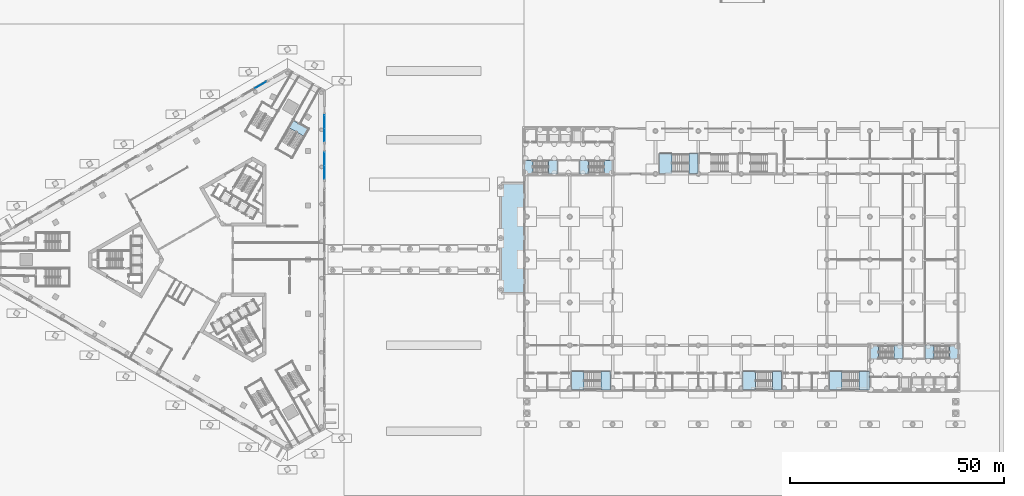
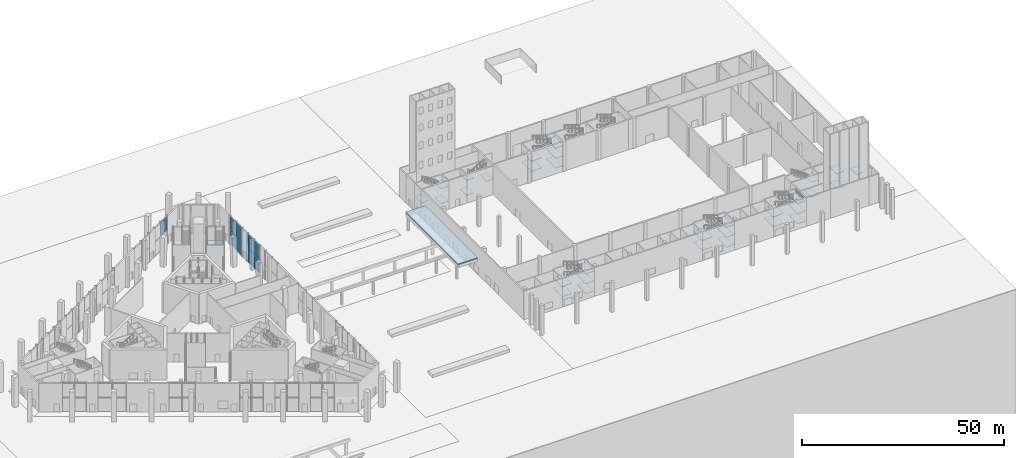
# One storey, part 21 of 63: 34 slabs, 9 plates, 12 elements without a shape of their own.
"""IFC4 building model written with IfcOpenShell, lengths in metres."""

from ifc_helpers import new_model, si_unit, direction, frame, origin, origin_2d, place, context, subcontext, project, spatial, polyline, rectangle, outline, extrude, material, layer, layer_set, type_object, element, aggregate, save


model = new_model("IFC4")

# Units and contexts
model_context = context("Model", 3, precision=1e-05, world=origin(), true_north=direction((0.0, 1.0)))
body_context = subcontext(model_context, "Body", "Model", "MODEL_VIEW")
ifc_project = project(units=[si_unit("LENGTHUNIT", "METRE"), si_unit("AREAUNIT", "SQUARE_METRE"), si_unit("VOLUMEUNIT", "CUBIC_METRE"), si_unit("PLANEANGLEUNIT", "RADIAN"), si_unit("MASSUNIT", "GRAM", prefix="KILO")], contexts=[model_context])

# Site, building, storey
site_placement = place(None, origin())
site = spatial("IfcSite", under=ifc_project, at=site_placement, CompositionType="ELEMENT")
building_placement = place(site_placement, origin())
building = spatial("IfcBuilding", under=site, at=building_placement, Name="Jabali Bay Hotel Tower and Convention Centre", CompositionType="ELEMENT")
storey_placement = place(building_placement, origin())
storey = spatial("IfcBuildingStorey", under=building, at=storey_placement, Name="L00", CompositionType="ELEMENT", Elevation=0.0)

# Slab
ifc_material_1 = material(Name="Concrete C40", Category="concrete")
ifc_layer_1 = layer(ifc_material_1, 0.300048828125)
ifc_layer_set_1 = layer_set([ifc_layer_1], Name="Concrete C40")
slab_type_1 = type_object("IfcSlabType", Name="CC Canopy Slab 300", PredefinedType="ROOF", material=ifc_layer_set_1)
slab_1_placement = place(storey_placement, frame((0.0, 0.0, 4.699951171875)))
element("IfcSlab", 1, at=slab_1_placement, inside=storey, type_object=slab_type_1, Name="CC entrance canopy", PredefinedType="ROOF", context=body_context, shape_type="SweptSolid", body=[
    extrude(outline(polyline([(150.0, 72.0), (150.0, 98.0), (144.39990234375, 98.0), (144.39990234375, 72.0), (150.0, 72.0)])), origin(), (0.0, 0.0, 1.0), 0.300048828125),
])

# Stair, slabs
stair_type_1 = type_object("IfcStairType", Name="CC Dogleg Stair 1350", PredefinedType="HALF_TURN_STAIR", material=ifc_material_1)
stair_1_placement = place(storey_placement, origin())
stair_1 = element("IfcStair", 2, at=stair_1_placement, inside=storey, type_object=stair_type_1, Name="L00 West stair A", PredefinedType="HALF_TURN_STAIR")
ifc_layer_2 = layer(ifc_material_1, 0.199951171875)
ifc_layer_set_2 = layer_set([ifc_layer_2], Name="Concrete C40")
slab_type_2 = type_object("IfcSlabType", Name="CC Stair Landing 200", PredefinedType="LANDING", material=ifc_layer_set_2)
slab_2_placement = place(storey_placement, frame((0.0, 0.0, 2.050048828125)))
slab_2 = element("IfcSlab", 3, at=slab_2_placement, type_object=slab_type_2, Name="CC-STWA landing 1", PredefinedType="LANDING", context=body_context, shape_type="SweptSolid", body=[
    extrude(outline(polyline([(155.737060546875, 100.02490234375), (157.85009765625, 100.02490234375), (157.85009765625, 103.175048828125), (155.737060546875, 103.175048828125), (155.737060546875, 100.02490234375)])), origin(), (0.0, 0.0, 1.0), 0.199951171875),
])
slab_3_placement = place(storey_placement, frame((0.0, 0.0, 4.300048828125)))
slab_3 = element("IfcSlab", 4, at=slab_3_placement, type_object=slab_type_2, Name="CC-STWA landing 2", PredefinedType="LANDING", context=body_context, shape_type="SweptSolid", body=[
    extrude(outline(polyline([(150.14990234375, 100.02490234375), (152.10302734375, 100.02490234375), (152.10302734375, 103.175048828125), (150.14990234375, 103.175048828125), (150.14990234375, 100.02490234375)])), origin(), (0.0, 0.0, 1.0), 0.199951171875),
])
slab_4_placement = place(storey_placement, frame((0.0, 0.0, 6.550048828125)))
slab_4 = element("IfcSlab", 5, at=slab_4_placement, type_object=slab_type_2, Name="CC-STWA landing 3", PredefinedType="LANDING", context=body_context, shape_type="SweptSolid", body=[
    extrude(outline(polyline([(155.737060546875, 100.02490234375), (157.85009765625, 100.02490234375), (157.85009765625, 103.175048828125), (155.737060546875, 103.175048828125), (155.737060546875, 100.02490234375)])), origin(), (0.0, 0.0, 1.0), 0.199951171875),
])
aggregate(stair_1, [slab_2, slab_3, slab_4])

stair_2_placement = place(storey_placement, origin())
stair_2 = element("IfcStair", 6, at=stair_2_placement, inside=storey, type_object=stair_type_1, Name="L00 West stair B", PredefinedType="HALF_TURN_STAIR")
slab_5_placement = place(storey_placement, frame((0.0, 0.0, 2.050048828125)))
slab_5 = element("IfcSlab", 7, at=slab_5_placement, type_object=slab_type_2, Name="CC-STWB landing 1", PredefinedType="LANDING", context=body_context, shape_type="SweptSolid", body=[
    extrude(outline(polyline([(162.97509765625, 100.02490234375), (165.087890625, 100.02490234375), (165.087890625, 103.175048828125), (162.97509765625, 103.175048828125), (162.97509765625, 100.02490234375)])), origin(), (0.0, 0.0, 1.0), 0.199951171875),
])
slab_6_placement = place(storey_placement, frame((0.0, 0.0, 4.300048828125)))
slab_6 = element("IfcSlab", 8, at=slab_6_placement, type_object=slab_type_2, Name="CC-STWB landing 2", PredefinedType="LANDING", context=body_context, shape_type="SweptSolid", body=[
    extrude(outline(polyline([(168.721923828125, 100.02490234375), (170.675048828125, 100.02490234375), (170.675048828125, 103.175048828125), (168.721923828125, 103.175048828125), (168.721923828125, 100.02490234375)])), origin(), (0.0, 0.0, 1.0), 0.199951171875),
])
slab_7_placement = place(storey_placement, frame((0.0, 0.0, 6.550048828125)))
slab_7 = element("IfcSlab", 9, at=slab_7_placement, type_object=slab_type_2, Name="CC-STWB landing 3", PredefinedType="LANDING", context=body_context, shape_type="SweptSolid", body=[
    extrude(outline(polyline([(162.97509765625, 100.02490234375), (165.087890625, 100.02490234375), (165.087890625, 103.175048828125), (162.97509765625, 103.175048828125), (162.97509765625, 100.02490234375)])), origin(), (0.0, 0.0, 1.0), 0.199951171875),
])
aggregate(stair_2, [slab_5, slab_6, slab_7])

stair_3_placement = place(storey_placement, origin())
stair_3 = element("IfcStair", 10, at=stair_3_placement, inside=storey, type_object=stair_type_1, Name="L00 East stair A", PredefinedType="HALF_TURN_STAIR")
slab_8_placement = place(storey_placement, frame((0.0, 0.0, 2.050048828125)))
slab_8 = element("IfcSlab", 11, at=slab_8_placement, type_object=slab_type_2, Name="CC-STEA landing 1", PredefinedType="LANDING", context=body_context, shape_type="SweptSolid", body=[
    extrude(outline(polyline([(243.550048828125, 56.824951171875), (245.6630859375, 56.824951171875), (245.6630859375, 59.97509765625), (243.550048828125, 59.97509765625), (243.550048828125, 56.824951171875)])), origin(), (0.0, 0.0, 1.0), 0.199951171875),
])
slab_9_placement = place(storey_placement, frame((0.0, 0.0, 4.300048828125)))
slab_9 = element("IfcSlab", 12, at=slab_9_placement, type_object=slab_type_2, Name="CC-STEA landing 2", PredefinedType="LANDING", context=body_context, shape_type="SweptSolid", body=[
    extrude(outline(polyline([(249.297119140625, 56.824951171875), (251.25, 56.824951171875), (251.25, 59.97509765625), (249.297119140625, 59.97509765625), (249.297119140625, 56.824951171875)])), origin(), (0.0, 0.0, 1.0), 0.199951171875),
])
slab_10_placement = place(storey_placement, frame((0.0, 0.0, 6.550048828125)))
slab_10 = element("IfcSlab", 13, at=slab_10_placement, type_object=slab_type_2, Name="CC-STEA landing 3", PredefinedType="LANDING", context=body_context, shape_type="SweptSolid", body=[
    extrude(outline(polyline([(243.550048828125, 56.824951171875), (245.6630859375, 56.824951171875), (245.6630859375, 59.97509765625), (243.550048828125, 59.97509765625), (243.550048828125, 56.824951171875)])), origin(), (0.0, 0.0, 1.0), 0.199951171875),
])
aggregate(stair_3, [slab_8, slab_9, slab_10])

stair_4_placement = place(storey_placement, origin())
stair_4 = element("IfcStair", 14, at=stair_4_placement, inside=storey, type_object=stair_type_1, Name="L00 East stair B", PredefinedType="HALF_TURN_STAIR")
slab_11_placement = place(storey_placement, frame((0.0, 0.0, 2.050048828125)))
slab_11 = element("IfcSlab", 15, at=slab_11_placement, type_object=slab_type_2, Name="CC-STEB landing 1", PredefinedType="LANDING", context=body_context, shape_type="SweptSolid", body=[
    extrude(outline(polyline([(236.31201171875, 56.824951171875), (238.425048828125, 56.824951171875), (238.425048828125, 59.97509765625), (236.31201171875, 59.97509765625), (236.31201171875, 56.824951171875)])), origin(), (0.0, 0.0, 1.0), 0.199951171875),
])
slab_12_placement = place(storey_placement, frame((0.0, 0.0, 4.300048828125)))
slab_12 = element("IfcSlab", 16, at=slab_12_placement, type_object=slab_type_2, Name="CC-STEB landing 2", PredefinedType="LANDING", context=body_context, shape_type="SweptSolid", body=[
    extrude(outline(polyline([(230.72509765625, 56.824951171875), (232.677978515625, 56.824951171875), (232.677978515625, 59.97509765625), (230.72509765625, 59.97509765625), (230.72509765625, 56.824951171875)])), origin(), (0.0, 0.0, 1.0), 0.199951171875),
])
slab_13_placement = place(storey_placement, frame((0.0, 0.0, 6.550048828125)))
slab_13 = element("IfcSlab", 17, at=slab_13_placement, type_object=slab_type_2, Name="CC-STEB landing 3", PredefinedType="LANDING", context=body_context, shape_type="SweptSolid", body=[
    extrude(outline(polyline([(236.31201171875, 56.824951171875), (238.425048828125, 56.824951171875), (238.425048828125, 59.97509765625), (236.31201171875, 59.97509765625), (236.31201171875, 56.824951171875)])), origin(), (0.0, 0.0, 1.0), 0.199951171875),
])
aggregate(stair_4, [slab_11, slab_12, slab_13])

stair_5_placement = place(storey_placement, origin())
stair_5 = element("IfcStair", 18, at=stair_5_placement, inside=storey, type_object=stair_type_1, Name="L00 South Exit Stair 1", PredefinedType="HALF_TURN_STAIR")
slab_14_placement = place(storey_placement, frame((0.0, 0.0, 1.300048828125)))
slab_14 = element("IfcSlab", 19, at=slab_14_placement, type_object=slab_type_2, Name="CC-STS1 landing 1", PredefinedType="LANDING", context=body_context, shape_type="SweptSolid", body=[
    extrude(outline(polyline([(167.95703125, 49.550048828125), (170.14990234375, 49.550048828125), (170.14990234375, 53.949951171875), (167.95703125, 53.949951171875), (167.95703125, 49.550048828125)])), origin(), (0.0, 0.0, 1.0), 0.199951171875),
])
slab_15_placement = place(storey_placement, frame((0.0, 0.0, 2.800048828125)))
slab_15 = element("IfcSlab", 20, at=slab_15_placement, type_object=slab_type_2, Name="CC-STS1 landing 2", PredefinedType="LANDING", context=body_context, shape_type="SweptSolid", body=[
    extrude(outline(polyline([(161.050048828125, 49.550048828125), (164.0029296875, 49.550048828125), (164.0029296875, 53.949951171875), (161.050048828125, 53.949951171875), (161.050048828125, 49.550048828125)])), origin(), (0.0, 0.0, 1.0), 0.199951171875),
])
slab_16_placement = place(storey_placement, frame((0.0, 0.0, 4.300048828125)))
slab_16 = element("IfcSlab", 21, at=slab_16_placement, type_object=slab_type_2, Name="CC-STS1 landing 3", PredefinedType="LANDING", context=body_context, shape_type="SweptSolid", body=[
    extrude(outline(polyline([(167.95703125, 49.550048828125), (170.14990234375, 49.550048828125), (170.14990234375, 53.949951171875), (167.95703125, 53.949951171875), (167.95703125, 49.550048828125)])), origin(), (0.0, 0.0, 1.0), 0.199951171875),
])
slab_17_placement = place(storey_placement, frame((0.0, 0.0, 5.800048828125)))
slab_17 = element("IfcSlab", 22, at=slab_17_placement, type_object=slab_type_2, Name="CC-STS1 landing 4", PredefinedType="LANDING", context=body_context, shape_type="SweptSolid", body=[
    extrude(outline(polyline([(161.050048828125, 49.550048828125), (164.0029296875, 49.550048828125), (164.0029296875, 53.949951171875), (161.050048828125, 53.949951171875), (161.050048828125, 49.550048828125)])), origin(), (0.0, 0.0, 1.0), 0.199951171875),
])
slab_18_placement = place(storey_placement, frame((0.0, 0.0, 7.300048828125)))
slab_18 = element("IfcSlab", 23, at=slab_18_placement, type_object=slab_type_2, Name="CC-STS1 landing 5", PredefinedType="LANDING", context=body_context, shape_type="SweptSolid", body=[
    extrude(outline(polyline([(167.95703125, 49.550048828125), (170.14990234375, 49.550048828125), (170.14990234375, 53.949951171875), (167.95703125, 53.949951171875), (167.95703125, 49.550048828125)])), origin(), (0.0, 0.0, 1.0), 0.199951171875),
])
aggregate(stair_5, [slab_14, slab_15, slab_16, slab_17, slab_18])

stair_6_placement = place(storey_placement, origin())
stair_6 = element("IfcStair", 24, at=stair_6_placement, inside=storey, type_object=stair_type_1, Name="L00 South Exit Stair 2", PredefinedType="HALF_TURN_STAIR")
slab_19_placement = place(storey_placement, frame((0.0, 0.0, 1.300048828125)))
slab_19 = element("IfcSlab", 25, at=slab_19_placement, type_object=slab_type_2, Name="CC-STS2 landing 1", PredefinedType="LANDING", context=body_context, shape_type="SweptSolid", body=[
    extrude(outline(polyline([(207.95703125, 49.550048828125), (210.14990234375, 49.550048828125), (210.14990234375, 53.949951171875), (207.95703125, 53.949951171875), (207.95703125, 49.550048828125)])), origin(), (0.0, 0.0, 1.0), 0.199951171875),
])
slab_20_placement = place(storey_placement, frame((0.0, 0.0, 2.800048828125)))
slab_20 = element("IfcSlab", 26, at=slab_20_placement, type_object=slab_type_2, Name="CC-STS2 landing 2", PredefinedType="LANDING", context=body_context, shape_type="SweptSolid", body=[
    extrude(outline(polyline([(201.050048828125, 49.550048828125), (204.0029296875, 49.550048828125), (204.0029296875, 53.949951171875), (201.050048828125, 53.949951171875), (201.050048828125, 49.550048828125)])), origin(), (0.0, 0.0, 1.0), 0.199951171875),
])
slab_21_placement = place(storey_placement, frame((0.0, 0.0, 4.300048828125)))
slab_21 = element("IfcSlab", 27, at=slab_21_placement, type_object=slab_type_2, Name="CC-STS2 landing 3", PredefinedType="LANDING", context=body_context, shape_type="SweptSolid", body=[
    extrude(outline(polyline([(207.95703125, 49.550048828125), (210.14990234375, 49.550048828125), (210.14990234375, 53.949951171875), (207.95703125, 53.949951171875), (207.95703125, 49.550048828125)])), origin(), (0.0, 0.0, 1.0), 0.199951171875),
])
slab_22_placement = place(storey_placement, frame((0.0, 0.0, 5.800048828125)))
slab_22 = element("IfcSlab", 28, at=slab_22_placement, type_object=slab_type_2, Name="CC-STS2 landing 4", PredefinedType="LANDING", context=body_context, shape_type="SweptSolid", body=[
    extrude(outline(polyline([(201.050048828125, 49.550048828125), (204.0029296875, 49.550048828125), (204.0029296875, 53.949951171875), (201.050048828125, 53.949951171875), (201.050048828125, 49.550048828125)])), origin(), (0.0, 0.0, 1.0), 0.199951171875),
])
slab_23_placement = place(storey_placement, frame((0.0, 0.0, 7.300048828125)))
slab_23 = element("IfcSlab", 29, at=slab_23_placement, type_object=slab_type_2, Name="CC-STS2 landing 5", PredefinedType="LANDING", context=body_context, shape_type="SweptSolid", body=[
    extrude(outline(polyline([(207.95703125, 49.550048828125), (210.14990234375, 49.550048828125), (210.14990234375, 53.949951171875), (207.95703125, 53.949951171875), (207.95703125, 49.550048828125)])), origin(), (0.0, 0.0, 1.0), 0.199951171875),
])
aggregate(stair_6, [slab_19, slab_20, slab_21, slab_22, slab_23])

stair_7_placement = place(storey_placement, origin())
stair_7 = element("IfcStair", 30, at=stair_7_placement, inside=storey, type_object=stair_type_1, Name="L00 South Exit Stair 3", PredefinedType="HALF_TURN_STAIR")
slab_24_placement = place(storey_placement, frame((0.0, 0.0, 1.300048828125)))
slab_24 = element("IfcSlab", 31, at=slab_24_placement, type_object=slab_type_2, Name="CC-STS3 landing 1", PredefinedType="LANDING", context=body_context, shape_type="SweptSolid", body=[
    extrude(outline(polyline([(228.20703125, 49.550048828125), (230.60009765625, 49.550048828125), (230.60009765625, 53.949951171875), (228.20703125, 53.949951171875), (228.20703125, 49.550048828125)])), origin(), (0.0, 0.0, 1.0), 0.199951171875),
])
slab_25_placement = place(storey_placement, frame((0.0, 0.0, 2.800048828125)))
slab_25 = element("IfcSlab", 32, at=slab_25_placement, type_object=slab_type_2, Name="CC-STS3 landing 2", PredefinedType="LANDING", context=body_context, shape_type="SweptSolid", body=[
    extrude(outline(polyline([(221.300048828125, 49.550048828125), (224.2529296875, 49.550048828125), (224.2529296875, 53.949951171875), (221.300048828125, 53.949951171875), (221.300048828125, 49.550048828125)])), origin(), (0.0, 0.0, 1.0), 0.199951171875),
])
slab_26_placement = place(storey_placement, frame((0.0, 0.0, 4.300048828125)))
slab_26 = element("IfcSlab", 33, at=slab_26_placement, type_object=slab_type_2, Name="CC-STS3 landing 3", PredefinedType="LANDING", context=body_context, shape_type="SweptSolid", body=[
    extrude(outline(polyline([(228.20703125, 49.550048828125), (230.60009765625, 49.550048828125), (230.60009765625, 53.949951171875), (228.20703125, 53.949951171875), (228.20703125, 49.550048828125)])), origin(), (0.0, 0.0, 1.0), 0.199951171875),
])
slab_27_placement = place(storey_placement, frame((0.0, 0.0, 5.800048828125)))
slab_27 = element("IfcSlab", 34, at=slab_27_placement, type_object=slab_type_2, Name="CC-STS3 landing 4", PredefinedType="LANDING", context=body_context, shape_type="SweptSolid", body=[
    extrude(outline(polyline([(221.300048828125, 49.550048828125), (224.2529296875, 49.550048828125), (224.2529296875, 53.949951171875), (221.300048828125, 53.949951171875), (221.300048828125, 49.550048828125)])), origin(), (0.0, 0.0, 1.0), 0.199951171875),
])
slab_28_placement = place(storey_placement, frame((0.0, 0.0, 7.300048828125)))
slab_28 = element("IfcSlab", 35, at=slab_28_placement, type_object=slab_type_2, Name="CC-STS3 landing 5", PredefinedType="LANDING", context=body_context, shape_type="SweptSolid", body=[
    extrude(outline(polyline([(228.20703125, 49.550048828125), (230.60009765625, 49.550048828125), (230.60009765625, 53.949951171875), (228.20703125, 53.949951171875), (228.20703125, 49.550048828125)])), origin(), (0.0, 0.0, 1.0), 0.199951171875),
])
aggregate(stair_7, [slab_24, slab_25, slab_26, slab_27, slab_28])

stair_8_placement = place(storey_placement, origin())
stair_8 = element("IfcStair", 36, at=stair_8_placement, inside=storey, type_object=stair_type_1, Name="L00 North Exit Stair 1", PredefinedType="HALF_TURN_STAIR")
slab_29_placement = place(storey_placement, frame((0.0, 0.0, 1.300048828125)))
slab_29 = element("IfcSlab", 37, at=slab_29_placement, type_object=slab_type_2, Name="CC-STN1 landing 1", PredefinedType="LANDING", context=body_context, shape_type="SweptSolid", body=[
    extrude(outline(polyline([(188.48193359375, 100.10009765625), (190.675048828125, 100.10009765625), (190.675048828125, 104.699951171875), (188.48193359375, 104.699951171875), (188.48193359375, 100.10009765625)])), origin(), (0.0, 0.0, 1.0), 0.199951171875),
])
slab_30_placement = place(storey_placement, frame((0.0, 0.0, 2.800048828125)))
slab_30 = element("IfcSlab", 38, at=slab_30_placement, type_object=slab_type_2, Name="CC-STN1 landing 2", PredefinedType="LANDING", context=body_context, shape_type="SweptSolid", body=[
    extrude(outline(polyline([(181.574951171875, 100.10009765625), (184.528076171875, 100.10009765625), (184.528076171875, 104.699951171875), (181.574951171875, 104.699951171875), (181.574951171875, 100.10009765625)])), origin(), (0.0, 0.0, 1.0), 0.199951171875),
])
slab_31_placement = place(storey_placement, frame((0.0, 0.0, 4.300048828125)))
slab_31 = element("IfcSlab", 39, at=slab_31_placement, type_object=slab_type_2, Name="CC-STN1 landing 3", PredefinedType="LANDING", context=body_context, shape_type="SweptSolid", body=[
    extrude(outline(polyline([(188.48193359375, 100.10009765625), (190.675048828125, 100.10009765625), (190.675048828125, 104.699951171875), (188.48193359375, 104.699951171875), (188.48193359375, 100.10009765625)])), origin(), (0.0, 0.0, 1.0), 0.199951171875),
])
slab_32_placement = place(storey_placement, frame((0.0, 0.0, 5.800048828125)))
slab_32 = element("IfcSlab", 40, at=slab_32_placement, type_object=slab_type_2, Name="CC-STN1 landing 4", PredefinedType="LANDING", context=body_context, shape_type="SweptSolid", body=[
    extrude(outline(polyline([(181.574951171875, 100.10009765625), (184.528076171875, 100.10009765625), (184.528076171875, 104.699951171875), (181.574951171875, 104.699951171875), (181.574951171875, 100.10009765625)])), origin(), (0.0, 0.0, 1.0), 0.199951171875),
])
slab_33_placement = place(storey_placement, frame((0.0, 0.0, 7.300048828125)))
slab_33 = element("IfcSlab", 41, at=slab_33_placement, type_object=slab_type_2, Name="CC-STN1 landing 5", PredefinedType="LANDING", context=body_context, shape_type="SweptSolid", body=[
    extrude(outline(polyline([(188.48193359375, 100.10009765625), (190.675048828125, 100.10009765625), (190.675048828125, 104.699951171875), (188.48193359375, 104.699951171875), (188.48193359375, 100.10009765625)])), origin(), (0.0, 0.0, 1.0), 0.199951171875),
])
aggregate(stair_8, [slab_29, slab_30, slab_31, slab_32, slab_33])

# Curtain wall, plates
ifc_material_2 = material(Name="Aluminium and glass", Category="aluminium")
ifc_layer_3 = layer(ifc_material_2, 0.179931640625)
ifc_layer_set_3 = layer_set([ifc_layer_3], Name="Aluminium and glass")
curtain_wall_type_1 = type_object("IfcCurtainWallType", Name="CW1 curtain wall", PredefinedType="NOTDEFINED", material=ifc_layer_set_3)
curtain_wall_1_placement = place(storey_placement, origin())
curtain_wall_1 = element("IfcCurtainWall", 42, at=curtain_wall_1_placement, inside=storey, type_object=curtain_wall_type_1, Name="CW1 curtain wall east face L00", PredefinedType="NOTDEFINED")
ifc_material_3 = material(Name="Glass", Category="glass")
ifc_layer_4 = layer(ifc_material_3, 0.028076171875)
ifc_layer_set_4 = layer_set([ifc_layer_4], Name="Glass")
plate_type_1 = type_object("IfcPlateType", Name="CW1 glass panel 28", PredefinedType="CURTAIN_PANEL", material=ifc_layer_set_4)
plate_1_placement = place(storey_placement, frame((103.5, 103.390380859375, 0.06005859375), z_axis=(0.0, 0.0, 1.0), x_axis=(0.0, -1.0, 0.0)))
plate_1 = element("IfcPlate", 43, at=plate_1_placement, type_object=plate_type_1, Name="CW1 panel 1.1", PredefinedType="CURTAIN_PANEL", context=body_context, shape_type="SweptSolid", body=[
    extrude(rectangle(XDim=2.983642578125, YDim=0.028076171875, at=origin_2d()), origin(), (0.0, 0.0, 1.0), 4.2099609375),
])
plate_2_placement = place(storey_placement, frame((103.5, 103.390380859375, 4.330078125), z_axis=(0.0, 0.0, 1.0), x_axis=(0.0, -1.0, 0.0)))
plate_2 = element("IfcPlate", 44, at=plate_2_placement, type_object=plate_type_1, Name="CW1 panel 1.2", PredefinedType="CURTAIN_PANEL", context=body_context, shape_type="SweptSolid", body=[
    extrude(rectangle(XDim=2.983642578125, YDim=0.028076171875, at=origin_2d()), origin(), (0.0, 0.0, 1.0), 4.2099609375),
])
plate_3_placement = place(storey_placement, frame((103.5, 100.3466796875, 0.06005859375), z_axis=(0.0, 0.0, 1.0), x_axis=(0.0, -1.0, 0.0)))
plate_3 = element("IfcPlate", 45, at=plate_3_placement, type_object=plate_type_1, Name="CW1 panel 2.1", PredefinedType="CURTAIN_PANEL", context=body_context, shape_type="SweptSolid", body=[
    extrude(rectangle(XDim=2.983642578125, YDim=0.028076171875, at=origin_2d()), origin(), (0.0, 0.0, 1.0), 4.2099609375),
])
plate_4_placement = place(storey_placement, frame((103.5, 100.3466796875, 4.330078125), z_axis=(0.0, 0.0, 1.0), x_axis=(0.0, -1.0, 0.0)))
plate_4 = element("IfcPlate", 46, at=plate_4_placement, type_object=plate_type_1, Name="CW1 panel 2.2", PredefinedType="CURTAIN_PANEL", context=body_context, shape_type="SweptSolid", body=[
    extrude(rectangle(XDim=2.983642578125, YDim=0.028076171875, at=origin_2d()), origin(), (0.0, 0.0, 1.0), 4.2099609375),
])
aggregate(curtain_wall_1, [plate_1, plate_2, plate_3, plate_4])

curtain_wall_2_placement = place(storey_placement, origin())
curtain_wall_2 = element("IfcCurtainWall", 47, at=curtain_wall_2_placement, inside=storey, type_object=curtain_wall_type_1, Name="CW1 curtain wall east face L00", PredefinedType="NOTDEFINED")
plate_5_placement = place(storey_placement, frame((103.5, 112.137939453125, 0.06005859375), z_axis=(0.0, 0.0, 1.0), x_axis=(0.0, -1.0, 0.0)))
plate_5 = element("IfcPlate", 48, at=plate_5_placement, type_object=plate_type_1, Name="CW1 panel 1.1", PredefinedType="CURTAIN_PANEL", context=body_context, shape_type="SweptSolid", body=[
    extrude(rectangle(XDim=2.983642578125, YDim=0.028076171875, at=origin_2d()), origin(), (0.0, 0.0, 1.0), 4.2099609375),
])
plate_6_placement = place(storey_placement, frame((103.5, 112.137939453125, 4.330078125), z_axis=(0.0, 0.0, 1.0), x_axis=(0.0, -1.0, 0.0)))
plate_6 = element("IfcPlate", 49, at=plate_6_placement, type_object=plate_type_1, Name="CW1 panel 1.2", PredefinedType="CURTAIN_PANEL", context=body_context, shape_type="SweptSolid", body=[
    extrude(rectangle(XDim=2.983642578125, YDim=0.028076171875, at=origin_2d()), origin(), (0.0, 0.0, 1.0), 4.2099609375),
])
plate_7_placement = place(storey_placement, frame((103.5, 109.09423828125, 0.06005859375), z_axis=(0.0, 0.0, 1.0), x_axis=(0.0, -1.0, 0.0)))
plate_7 = element("IfcPlate", 50, at=plate_7_placement, type_object=plate_type_1, Name="CW1 panel 2.1", PredefinedType="CURTAIN_PANEL", context=body_context, shape_type="SweptSolid", body=[
    extrude(rectangle(XDim=2.983642578125, YDim=0.028076171875, at=origin_2d()), origin(), (0.0, 0.0, 1.0), 4.2099609375),
])
plate_8_placement = place(storey_placement, frame((103.5, 109.09423828125, 4.330078125), z_axis=(0.0, 0.0, 1.0), x_axis=(0.0, -1.0, 0.0)))
plate_8 = element("IfcPlate", 51, at=plate_8_placement, type_object=plate_type_1, Name="CW1 panel 2.2", PredefinedType="CURTAIN_PANEL", context=body_context, shape_type="SweptSolid", body=[
    extrude(rectangle(XDim=2.983642578125, YDim=0.028076171875, at=origin_2d()), origin(), (0.0, 0.0, 1.0), 4.2099609375),
])
aggregate(curtain_wall_2, [plate_5, plate_6, plate_7, plate_8])

# Curtain wall, plate
ifc_layer_5 = layer(ifc_material_2, 0.239990234375)
ifc_layer_set_5 = layer_set([ifc_layer_5], Name="Aluminium and glass")
curtain_wall_type_2 = type_object("IfcCurtainWallType", Name="CW2 curtain wall", PredefinedType="NOTDEFINED", material=ifc_layer_set_5)
curtain_wall_3_placement = place(storey_placement, origin())
curtain_wall_3 = element("IfcCurtainWall", 52, at=curtain_wall_3_placement, inside=storey, type_object=curtain_wall_type_2, Name="CW2 curtain wall north-west face L00", PredefinedType="NOTDEFINED")
ifc_layer_6 = layer(ifc_material_3, 0.035888671875)
ifc_layer_set_6 = layer_set([ifc_layer_6], Name="Glass")
plate_type_2 = type_object("IfcPlateType", Name="CW2 glass panel 36", PredefinedType="CURTAIN_PANEL", material=ifc_layer_set_6)
plate_9_placement = place(storey_placement, frame((88.577880859375, 120.748046875, 4.33984375), z_axis=(0.0, 0.0, 1.0), x_axis=(0.866025404107, 0.499999999441, 0.0)))
plate_9 = element("IfcPlate", 53, at=plate_9_placement, type_object=plate_type_2, Name="CW2 panel 2.2", PredefinedType="CURTAIN_PANEL", context=body_context, shape_type="SweptSolid", body=[
    extrude(rectangle(XDim=2.95361328125, YDim=0.035888671875, at=origin_2d()), origin(), (0.0, 0.0, 1.0), 4.179931640625),
])
aggregate(curtain_wall_3, [plate_9])

# Stair, slab
stair_type_2 = type_object("IfcStairType", Name="Podium stair 1950", PredefinedType="HALF_TURN_STAIR", material=ifc_material_1)
stair_9_placement = place(storey_placement, origin())
stair_9 = element("IfcStair", 54, at=stair_9_placement, inside=storey, type_object=stair_type_2, Name="L00 Podium Exit Stair 4", PredefinedType="HALF_TURN_STAIR")
ifc_layer_7 = layer(ifc_material_1, 0.199951171875)
ifc_layer_set_7 = layer_set([ifc_layer_7], Name="Concrete C40")
slab_type_3 = type_object("IfcSlabType", Name="Stair landing 200", PredefinedType="LANDING", material=ifc_layer_set_7)
slab_34_placement = place(storey_placement, frame((0.0, 0.0, 4.300048828125)))
slab_34 = element("IfcSlab", 55, at=slab_34_placement, type_object=slab_type_3, Name="PS4 landing 2", PredefinedType="LANDING", context=body_context, shape_type="SweptSolid", body=[
    extrude(outline(polyline([(96.2119140625, 112.440185546875), (95.2353515625, 110.748779296875), (98.699462890625, 108.748779296875), (99.676025390625, 110.440185546875), (96.2119140625, 112.440185546875)])), origin(), (0.0, 0.0, 1.0), 0.199951171875),
])
aggregate(stair_9, [slab_34])

save(model, "model.ifc")
